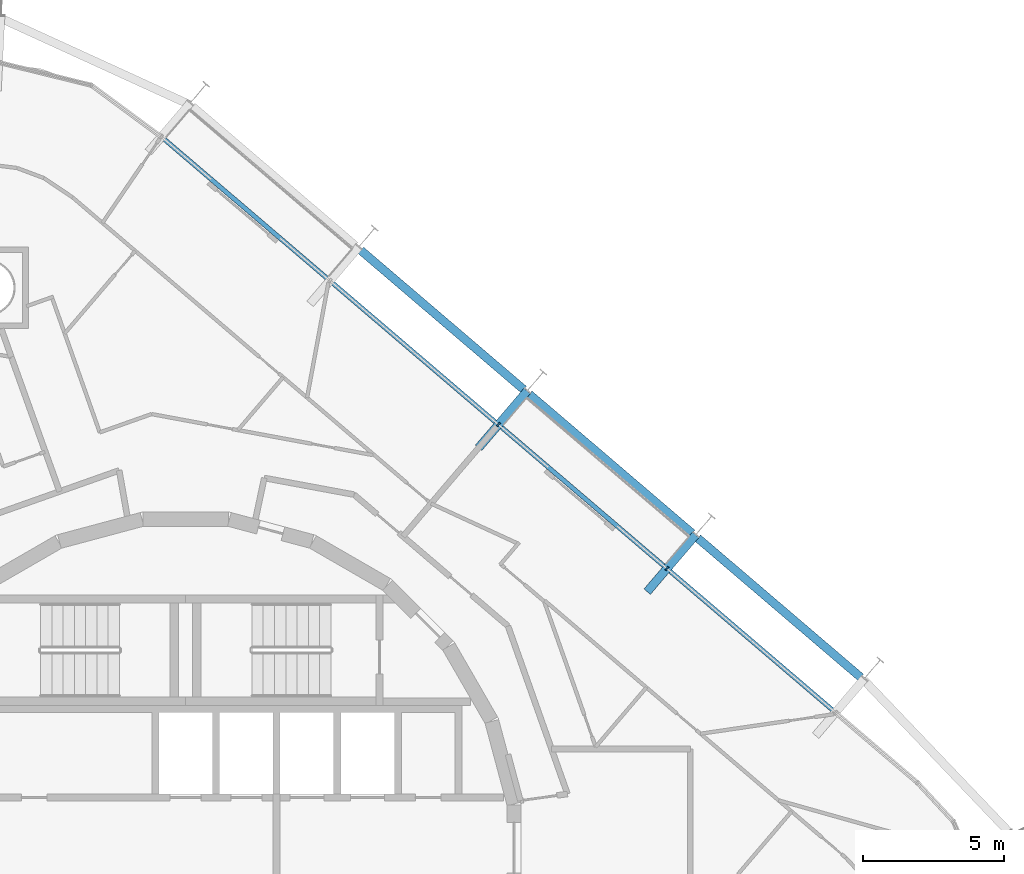
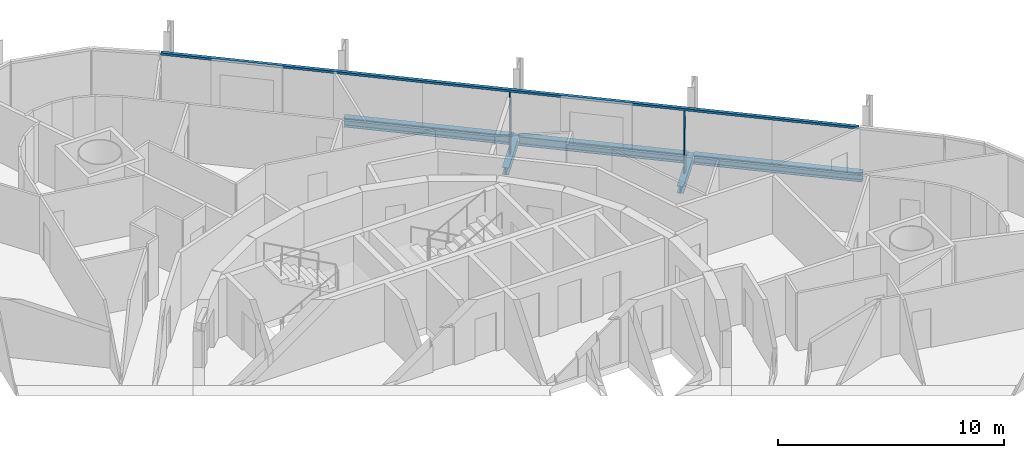
# One storey, part 8 of 17: 5 beams, 3 members, 1 element without a shape of its own.
"""IFC4 building model written with IfcOpenShell, lengths in metres."""

from ifc_helpers import new_model, si_unit, direction, frame, origin, origin_2d, place, context, subcontext, project, spatial, rectangle, i_section, extrude, material, layer, layer_set, material_profile, profile_set, type_object, element, aggregate, save


model = new_model("IFC4")

# Units and contexts
model_context = context("Model", 3, precision=1e-05, world=origin(), true_north=direction((0.0, 1.0)))
body_context = subcontext(model_context, "Body", "Model", "MODEL_VIEW")
ifc_project = project(units=[si_unit("LENGTHUNIT", "METRE"), si_unit("AREAUNIT", "SQUARE_METRE"), si_unit("VOLUMEUNIT", "CUBIC_METRE"), si_unit("PLANEANGLEUNIT", "RADIAN"), si_unit("MASSUNIT", "GRAM", prefix="KILO")], contexts=[model_context])

# Site, building, storey
site_placement = place(None, origin())
site = spatial("IfcSite", under=ifc_project, at=site_placement, CompositionType="ELEMENT")
building_placement = place(site_placement, origin())
building = spatial("IfcBuilding", under=site, at=building_placement, Name="Spindle Arch Residences", CompositionType="ELEMENT")
storey_placement = place(building_placement, frame((0.0, 0.0, 158.699951171875)))
storey = spatial("IfcBuildingStorey", under=building, at=storey_placement, Name="L39", CompositionType="ELEMENT", Elevation=158.699951171875)

# Curtain wall, members
ifc_material_1 = material(Name="Aluminium bronze unitised frame with tinted glass", Category="aluminium")
ifc_layer = layer(ifc_material_1, 0.159912109375)
ifc_layer_set = layer_set([ifc_layer], Name="CW-C typical residential unitised wall")
curtain_wall_type = type_object("IfcCurtainWallType", Name="CW-C typical residential unitised wall", PredefinedType="NOTDEFINED", material=ifc_layer_set)
curtain_wall_placement = place(storey_placement, origin())
curtain_wall = element("IfcCurtainWall", 1, at=curtain_wall_placement, inside=storey, type_object=curtain_wall_type, Name="CW-C L39 run 2", PredefinedType="NOTDEFINED")
ifc_material_2 = material(Name="Aluminium bronze anodised mullion", Category="aluminium")
ifc_material_profile_1 = material_profile(ifc_material_2, rectangle(XDim=0.159912109375, YDim=0.06005859375, at=origin_2d()), Name="MU 60x160")
ifc_profile_set_1 = profile_set([ifc_material_profile_1], Name="Aluminium bronze anodised mullion")
member_type_1 = type_object("IfcMemberType", Name="Bronze mullion 60x160", PredefinedType="MULLION", material=ifc_profile_set_1)
member_1_placement = place(storey_placement, frame((17.06884765625, 9.8994140625, -0.3798828125), z_axis=(0.0, 0.0, 1.0), x_axis=(-0.64944804833, -0.7604059656, 0.0)))
member_1 = element("IfcMember", 2, at=member_1_placement, type_object=member_type_1, Name="CW-C mullion 06", PredefinedType="MULLION", context=body_context, shape_type="SweptSolid", body=[
    extrude(rectangle(XDim=0.159912109375, YDim=0.06005859375, at=origin_2d()), origin(), (0.0, 0.0, 1.0), 3.3798828125),
])
member_2_placement = place(storey_placement, frame((11.092041015625, 15.004150390625, -0.3798828125), z_axis=(0.0, 0.0, 1.0), x_axis=(-0.64944804833, -0.7604059656, 0.0)))
member_2 = element("IfcMember", 3, at=member_2_placement, type_object=member_type_1, Name="CW-C mullion 07", PredefinedType="MULLION", context=body_context, shape_type="SweptSolid", body=[
    extrude(rectangle(XDim=0.159912109375, YDim=0.06005859375, at=origin_2d()), origin(), (0.0, 0.0, 1.0), 3.3798828125),
])
ifc_material_3 = material(Name="Aluminium bronze anodised transom", Category="aluminium")
ifc_material_profile_2 = material_profile(ifc_material_3, rectangle(XDim=0.159912109375, YDim=0.1201171875, at=origin_2d()), Name="TR 120x160")
ifc_profile_set_2 = profile_set([ifc_material_profile_2], Name="Aluminium bronze anodised transom")
member_type_2 = type_object("IfcMemberType", Name="Bronze transom 120x160", PredefinedType="USERDEFINED", material=ifc_profile_set_2)
member_3_placement = place(storey_placement, frame((23.02294921875, 4.814208984375, 3.06005859375), z_axis=(-0.760406495952, 0.649447427368, 0.0), x_axis=(-0.649447427368, -0.760406495952, 0.0)))
member_3 = element("IfcMember", 4, at=member_3_placement, type_object=member_type_2, Name="CW-C transom 00", ObjectType="TRANSOM", PredefinedType="USERDEFINED", context=body_context, shape_type="SweptSolid", body=[
    extrude(rectangle(XDim=0.159912109375, YDim=0.1201171875, at=origin_2d()), origin(), (0.0, 0.0, 1.0), 31.38037109375),
])
aggregate(curtain_wall, [member_3, member_1, member_2])

# Beams
ifc_material_4 = material(Name="Steel S460ML, intumescent coating R 120", Category="steel")
ifc_material_profile_3 = material_profile(ifc_material_4, i_section(OverallWidth=0.300048828125, OverallDepth=0.5, WebThickness=0.014404296875, FlangeThickness=0.028076171875, FilletRadius=0.027099609375, at=origin_2d()), Name="HEB 500")
ifc_profile_set_3 = profile_set([ifc_material_profile_3], Name="Steel S460ML, intumescent coating R 120")
beam_type_1 = type_object("IfcBeamType", Name="Exoskeleton edge beam HEB 500", PredefinedType="BEAM", material=ifc_profile_set_3)
for number, where, z_axis, x_axis, name in (
    (5, (23.9404296875, 6.04248046875, -0.6298828125), (-0.760389211598, 0.649467664234, 0.0), (-0.649467664234, -0.760389211598, 0.0), "Exoskeleton edge beam 6"),
    (6, (17.963623046875, 11.147216796875, -0.6298828125), (-0.760389211598, 0.649467664234, 0.0), (-0.649467664234, -0.760389211598, 0.0), "Exoskeleton edge beam 7"),
):
    element("IfcBeam", number, at=place(storey_placement, frame(where, z_axis=z_axis, x_axis=x_axis)), inside=storey, type_object=beam_type_1, Name=name, PredefinedType="BEAM", context=body_context, shape_type="SweptSolid", body=[
        extrude(i_section(OverallWidth=0.300048828125, OverallDepth=0.5, WebThickness=0.014404296875, FlangeThickness=0.028076171875, FilletRadius=0.027099609375, at=origin_2d()), origin(), (0.0, 0.0, 1.0), 7.60009765625),
    ])
beam_placement = place(storey_placement, frame((11.98681640625, 16.251953125, -0.6298828125), z_axis=(-0.760402760949, 0.649451800476, 0.0), x_axis=(-0.649451800476, -0.760402760949, 0.0)))
element("IfcBeam", 7, at=beam_placement, inside=storey, type_object=beam_type_1, Name="Exoskeleton edge beam 8", PredefinedType="BEAM", context=body_context, shape_type="SweptSolid", body=[
    extrude(i_section(OverallWidth=0.300048828125, OverallDepth=0.5, WebThickness=0.014404296875, FlangeThickness=0.028076171875, FilletRadius=0.027099609375, at=origin_2d()), origin(), (0.0, 0.0, 1.0), 7.600341796875),
])
ifc_material_5 = material(Name="Steel S460ML, intumescent coating R 120", Category="steel")
ifc_material_profile_4 = material_profile(ifc_material_5, i_section(OverallWidth=0.300048828125, OverallDepth=0.389892578125, WebThickness=0.010986328125, FlangeThickness=0.01904296875, FilletRadius=0.027099609375, at=origin_2d()), Name="HEA 400")
ifc_profile_set_4 = profile_set([ifc_material_profile_4], Name="Steel S460ML, intumescent coating R 120")
beam_type_2 = type_object("IfcBeamType", Name="Floor outrigger HEA 400", PredefinedType="BEAM", material=ifc_profile_set_4)
for number, where, z_axis, x_axis, name in (
    (8, (18.08837890625, 11.09326171875, -0.574951171875), (-0.64941704551, -0.760432443417, 0.0), (0.760432443417, -0.64941704551, 0.0), "Floor outrigger 7"),
    (9, (12.111572265625, 16.197998046875, -0.574951171875), (-0.64941704551, -0.760432443417, 0.0), (0.760432443417, -0.64941704551, 0.0), "Floor outrigger 8"),
):
    element("IfcBeam", number, at=place(storey_placement, frame(where, z_axis=z_axis, x_axis=x_axis)), inside=storey, type_object=beam_type_2, Name=name, PredefinedType="BEAM", context=body_context, shape_type="SweptSolid", body=[
        extrude(i_section(OverallWidth=0.300048828125, OverallDepth=0.389892578125, WebThickness=0.010986328125, FlangeThickness=0.01904296875, FilletRadius=0.027099609375, at=origin_2d()), origin(), (0.0, 0.0, 1.0), 2.64990234375),
    ])

save(model, "model.ifc")
